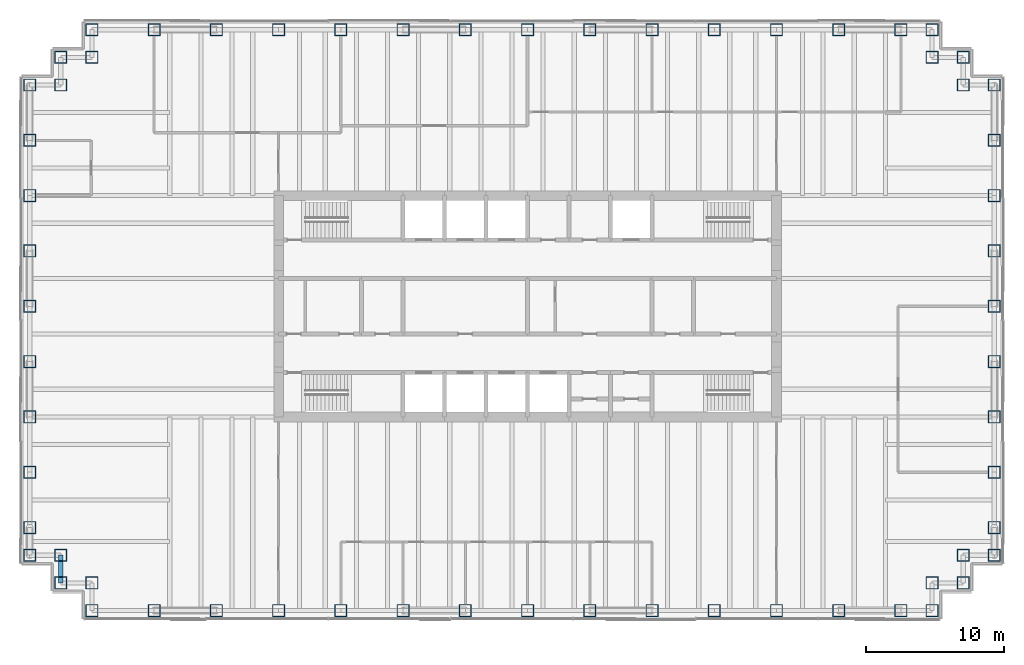
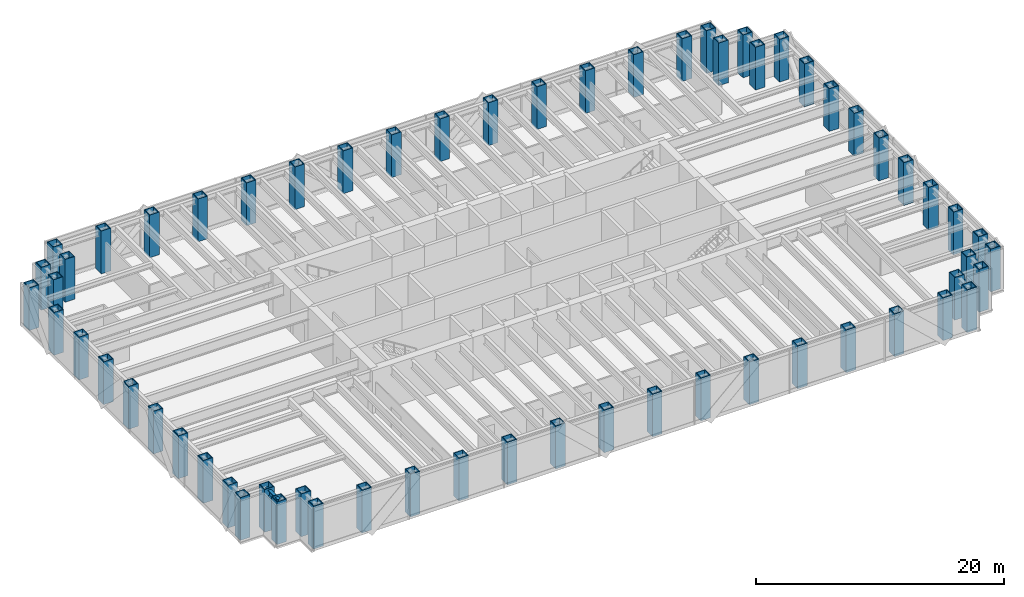
# One storey, part 1 of 15: 62 columns, 1 beam.
"""IFC4 building model written with IfcOpenShell, lengths in metres."""

from ifc_helpers import new_model, si_unit, direction, frame, origin, origin_2d, place, context, subcontext, project, spatial, hollow_rectangle, i_section, extrude, material, material_profile, profile_set, type_object, element, save


model = new_model("IFC4")

# Units and contexts
model_context = context("Model", 3, precision=1e-05, world=origin(), true_north=direction((0.0, 1.0)))
body_context = subcontext(model_context, "Body", "Model", "MODEL_VIEW")
ifc_project = project(units=[si_unit("LENGTHUNIT", "METRE"), si_unit("AREAUNIT", "SQUARE_METRE"), si_unit("VOLUMEUNIT", "CUBIC_METRE"), si_unit("PLANEANGLEUNIT", "RADIAN"), si_unit("MASSUNIT", "GRAM", prefix="KILO")], contexts=[model_context])

# Site, building, storey
site_placement = place(None, origin())
site = spatial("IfcSite", under=ifc_project, at=site_placement, CompositionType="ELEMENT")
building_placement = place(site_placement, origin())
building = spatial("IfcBuilding", under=site, at=building_placement, Name="Rheinbord Bourse Tower", CompositionType="ELEMENT")
storey_placement = place(building_placement, frame((0.0, 0.0, 308.89990234375)))
storey = spatial("IfcBuildingStorey", under=building, at=storey_placement, Name="L70", CompositionType="ELEMENT", Elevation=308.89990234375)

# Columns
ifc_material_1 = material(Name="Steel S460M", Category="steel")
ifc_material_profile_1 = material_profile(ifc_material_1, hollow_rectangle(XDim=0.89990234375, YDim=0.89990234375, WallThickness=0.06005859375, at=origin_2d()), Name="BOX 900x900x60")
ifc_profile_set_1 = profile_set([ifc_material_profile_1], Name="Steel S460M")
column_type = type_object("IfcColumnType", Name="TUBE COLUMN BOX 900x900x60", PredefinedType="COLUMN", material=ifc_profile_set_1)
for number, where, z_axis, x_axis, name in (
    (1, (4.5, 2.0, 0.0), (0.0, 0.0, 1.0), (0.0, 1.0, 0.0), "Column SW-E L70"),
    (2, (9.0, 2.0, 0.0), (0.0, 0.0, 1.0), (0.0, 1.0, 0.0), "Column S-9 L70"),
    (3, (13.5, 2.0, 0.0), (0.0, 0.0, 1.0), (0.0, 1.0, 0.0), "Column S-13.5 L70"),
    (4, (18.0, 2.0, 0.0), (0.0, 0.0, 1.0), (0.0, 1.0, 0.0), "Column S-18 L70"),
    (5, (22.5, 2.0, 0.0), (0.0, 0.0, 1.0), (0.0, 1.0, 0.0), "Column S-22.5 L70"),
    (6, (27.0, 2.0, 0.0), (0.0, 0.0, 1.0), (0.0, 1.0, 0.0), "Column S-27 L70"),
    (7, (31.5, 2.0, 0.0), (0.0, 0.0, 1.0), (0.0, 1.0, 0.0), "Column S-31.5 L70"),
    (8, (36.0, 2.0, 0.0), (0.0, 0.0, 1.0), (0.0, 1.0, 0.0), "Column S-36 L70"),
    (9, (40.5, 2.0, 0.0), (0.0, 0.0, 1.0), (0.0, 1.0, 0.0), "Column S-40.5 L70"),
    (10, (45.0, 2.0, 0.0), (0.0, 0.0, 1.0), (0.0, 1.0, 0.0), "Column S-45 L70"),
    (11, (49.5, 2.0, 0.0), (0.0, 0.0, 1.0), (0.0, 1.0, 0.0), "Column S-49.5 L70"),
    (12, (54.0, 2.0, 0.0), (0.0, 0.0, 1.0), (0.0, 1.0, 0.0), "Column S-54 L70"),
    (13, (58.5, 2.0, 0.0), (0.0, 0.0, 1.0), (0.0, 1.0, 0.0), "Column S-58.5 L70"),
    (14, (63.0, 2.0, 0.0), (0.0, 0.0, 1.0), (0.0, 1.0, 0.0), "Column S-63 L70"),
    (15, (65.25, 2.0, 0.0), (0.0, 0.0, 1.0), (0.0, 1.0, 0.0), "Column SE-E L70"),
    (16, (65.25, 4.0, 0.0), (0.0, 0.0, 1.0), (0.0, 1.0, 0.0), "Column SE-D L70"),
    (17, (67.5, 4.0, 0.0), (0.0, 0.0, 1.0), (1.0, 0.0, 0.0), "Column SE-C L70"),
    (18, (67.5, 6.0, 0.0), (0.0, 0.0, 1.0), (1.0, 0.0, 0.0), "Column SE-B L70"),
    (19, (69.75, 6.0, 0.0), (0.0, 0.0, 1.0), (1.0, 0.0, 0.0), "Column SE-A L70"),
    (20, (69.75, 8.0, 0.0), (0.0, 0.0, 1.0), (1.0, 0.0, 0.0), "Column E-8 L70"),
    (21, (69.75, 12.0, 0.0), (0.0, 0.0, 1.0), (1.0, 0.0, 0.0), "Column E-12 L70"),
    (22, (69.75, 16.0, 0.0), (0.0, 0.0, 1.0), (1.0, 0.0, 0.0), "Column E-16 L70"),
    (23, (69.75, 20.0, 0.0), (0.0, 0.0, 1.0), (1.0, 0.0, 0.0), "Column E-20 L70"),
    (24, (69.75, 24.0, 0.0), (0.0, 0.0, 1.0), (1.0, 0.0, 0.0), "Column E-24 L70"),
    (25, (69.75, 28.0, 0.0), (0.0, 0.0, 1.0), (1.0, 0.0, 0.0), "Column E-28 L70"),
    (26, (69.75, 32.0, 0.0), (0.0, 0.0, 1.0), (1.0, 0.0, 0.0), "Column E-32 L70"),
    (27, (69.75, 36.0, 0.0), (0.0, 0.0, 1.0), (1.0, 0.0, 0.0), "Column E-36 L70"),
    (28, (69.75, 40.0, 0.0), (0.0, 0.0, 1.0), (1.0, 0.0, 0.0), "Column NE-A L70"),
    (29, (67.5, 40.0, 0.0), (0.0, 0.0, 1.0), (1.0, 0.0, 0.0), "Column NE-B L70"),
    (30, (67.5, 42.0, 0.0), (0.0, 0.0, 1.0), (1.0, 0.0, 0.0), "Column NE-C L70"),
    (31, (65.25, 42.0, 0.0), (0.0, 0.0, 1.0), (0.0, 1.0, 0.0), "Column NE-D L70"),
    (32, (65.25, 44.0, 0.0), (0.0, 0.0, 1.0), (0.0, 1.0, 0.0), "Column NE-E L70"),
    (33, (63.0, 44.0, 0.0), (0.0, 0.0, 1.0), (0.0, 1.0, 0.0), "Column N-63 L70"),
    (34, (58.5, 44.0, 0.0), (0.0, 0.0, 1.0), (0.0, 1.0, 0.0), "Column N-58.5 L70"),
    (35, (54.0, 44.0, 0.0), (0.0, 0.0, 1.0), (0.0, 1.0, 0.0), "Column N-54 L70"),
    (36, (49.5, 44.0, 0.0), (0.0, 0.0, 1.0), (0.0, 1.0, 0.0), "Column N-49.5 L70"),
    (37, (45.0, 44.0, 0.0), (0.0, 0.0, 1.0), (0.0, 1.0, 0.0), "Column N-45 L70"),
    (38, (40.5, 44.0, 0.0), (0.0, 0.0, 1.0), (0.0, 1.0, 0.0), "Column N-40.5 L70"),
    (39, (36.0, 44.0, 0.0), (0.0, 0.0, 1.0), (0.0, 1.0, 0.0), "Column N-36 L70"),
    (40, (31.5, 44.0, 0.0), (0.0, 0.0, 1.0), (0.0, 1.0, 0.0), "Column N-31.5 L70"),
    (41, (27.0, 44.0, 0.0), (0.0, 0.0, 1.0), (0.0, 1.0, 0.0), "Column N-27 L70"),
    (42, (22.5, 44.0, 0.0), (0.0, 0.0, 1.0), (0.0, 1.0, 0.0), "Column N-22.5 L70"),
    (43, (18.0, 44.0, 0.0), (0.0, 0.0, 1.0), (0.0, 1.0, 0.0), "Column N-18 L70"),
    (44, (13.5, 44.0, 0.0), (0.0, 0.0, 1.0), (0.0, 1.0, 0.0), "Column N-13.5 L70"),
    (45, (9.0, 44.0, 0.0), (0.0, 0.0, 1.0), (0.0, 1.0, 0.0), "Column N-9 L70"),
    (46, (4.5, 44.0, 0.0), (0.0, 0.0, 1.0), (0.0, 1.0, 0.0), "Column NW-E L70"),
    (47, (4.5, 42.0, 0.0), (0.0, 0.0, 1.0), (0.0, 1.0, 0.0), "Column NW-D L70"),
    (48, (2.25, 42.0, 0.0), (0.0, 0.0, 1.0), (1.0, 0.0, 0.0), "Column NW-C L70"),
    (49, (2.25, 40.0, 0.0), (0.0, 0.0, 1.0), (1.0, 0.0, 0.0), "Column NW-B L70"),
    (50, (0.0, 40.0, 0.0), (0.0, 0.0, 1.0), (1.0, 0.0, 0.0), "Column NW-A L70"),
    (51, (0.0, 36.0, 0.0), (0.0, 0.0, 1.0), (1.0, 0.0, 0.0), "Column W-36 L70"),
    (52, (0.0, 32.0, 0.0), (0.0, 0.0, 1.0), (1.0, 0.0, 0.0), "Column W-32 L70"),
    (53, (0.0, 28.0, 0.0), (0.0, 0.0, 1.0), (1.0, 0.0, 0.0), "Column W-28 L70"),
    (54, (0.0, 24.0, 0.0), (0.0, 0.0, 1.0), (1.0, 0.0, 0.0), "Column W-24 L70"),
    (55, (0.0, 20.0, 0.0), (0.0, 0.0, 1.0), (1.0, 0.0, 0.0), "Column W-20 L70"),
    (56, (0.0, 16.0, 0.0), (0.0, 0.0, 1.0), (1.0, 0.0, 0.0), "Column W-16 L70"),
    (57, (0.0, 12.0, 0.0), (0.0, 0.0, 1.0), (1.0, 0.0, 0.0), "Column W-12 L70"),
    (58, (0.0, 8.0, 0.0), (0.0, 0.0, 1.0), (1.0, 0.0, 0.0), "Column W-8 L70"),
    (59, (0.0, 6.0, 0.0), (0.0, 0.0, 1.0), (1.0, 0.0, 0.0), "Column SW-A L70"),
    (60, (2.25, 6.0, 0.0), (0.0, 0.0, 1.0), (1.0, 0.0, 0.0), "Column SW-B L70"),
    (61, (2.25, 4.0, 0.0), (0.0, 0.0, 1.0), (1.0, 0.0, 0.0), "Column SW-C L70"),
    (62, (4.5, 4.0, 0.0), (0.0, 0.0, 1.0), (0.0, 1.0, 0.0), "Column SW-D L70"),
):
    element("IfcColumn", number, at=place(storey_placement, frame(where, z_axis=z_axis, x_axis=x_axis)), inside=storey, type_object=column_type, Name=name, PredefinedType="COLUMN", context=body_context, shape_type="SweptSolid", body=[
        extrude(hollow_rectangle(XDim=0.89990234375, YDim=0.89990234375, WallThickness=0.06005859375, at=origin_2d()), origin(), (0.0, 0.0, 1.0), 4.2001953125),
    ])

# Beam
ifc_material_2 = material(Name="Steel S460", Category="steel")
ifc_material_profile_2 = material_profile(ifc_material_2, i_section(OverallWidth=0.300048828125, OverallDepth=0.550048828125, WebThickness=0.014892578125, FlangeThickness=0.029052734375, at=origin_2d()), Name="HEB 550")
ifc_profile_set_2 = profile_set([ifc_material_profile_2], Name="Steel S460")
beam_type = type_object("IfcBeamType", Name="SPANDREL HEB 550", PredefinedType="SPANDREL", material=ifc_profile_set_2)
beam_placement = place(storey_placement, frame((2.25, 6.0, 3.76513671875), z_axis=(0.0, -1.0, 0.0), x_axis=(1.0, 0.0, 0.0)))
element("IfcBeam", 63, at=beam_placement, inside=storey, type_object=beam_type, Name="Spandrel SW-B-SW-C under L71", PredefinedType="SPANDREL", context=body_context, shape_type="SweptSolid", body=[
    extrude(i_section(OverallWidth=0.300048828125, OverallDepth=0.550048828125, WebThickness=0.014892578125, FlangeThickness=0.029052734375, at=origin_2d()), origin(), (0.0, 0.0, 1.0), 2.0),
])

save(model, "model.ifc")
